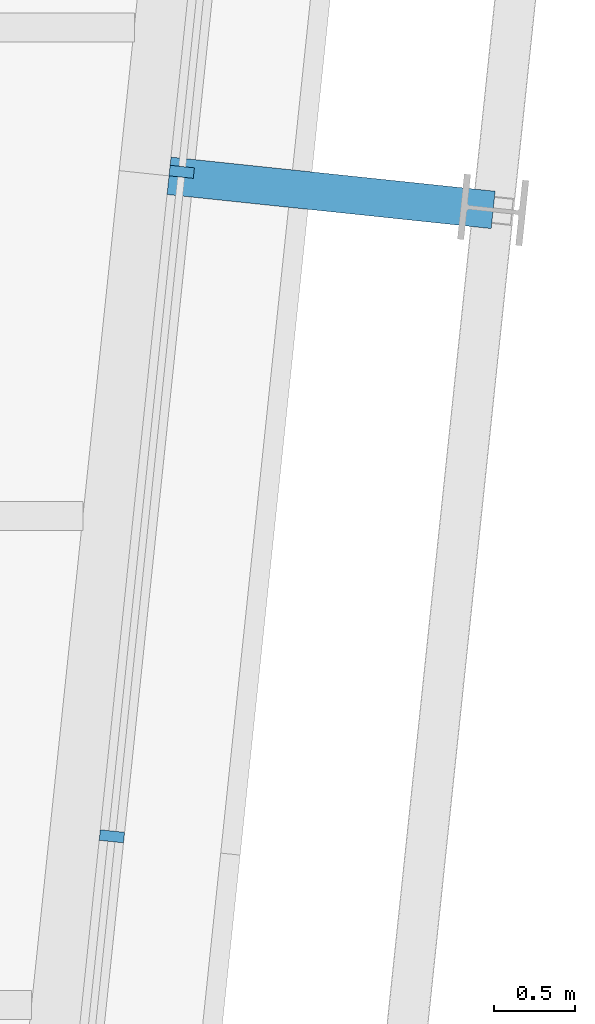
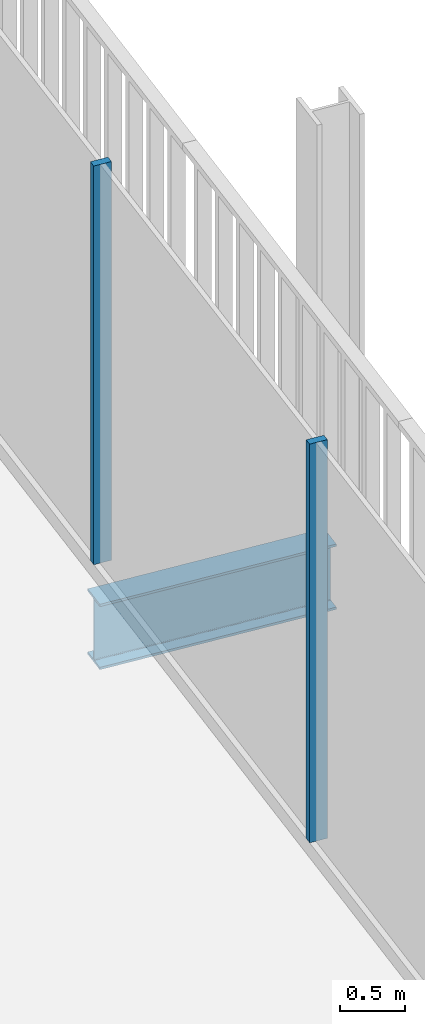
# One storey, part 11 of 21: 2 members, 1 beam, 1 element without a shape of its own.
"""IFC4 building model written with IfcOpenShell, lengths in metres."""

from ifc_helpers import new_model, si_unit, direction, frame, origin, origin_2d, place, context, subcontext, project, spatial, rectangle, i_section, extrude, material, layer, layer_set, material_profile, profile_set, type_object, element, aggregate, save


model = new_model("IFC4")

# Units and contexts
model_context = context("Model", 3, precision=1e-05, world=origin(), true_north=direction((0.0, 1.0)))
body_context = subcontext(model_context, "Body", "Model", "MODEL_VIEW")
ifc_project = project(units=[si_unit("LENGTHUNIT", "METRE"), si_unit("AREAUNIT", "SQUARE_METRE"), si_unit("VOLUMEUNIT", "CUBIC_METRE"), si_unit("PLANEANGLEUNIT", "RADIAN"), si_unit("MASSUNIT", "GRAM", prefix="KILO")], contexts=[model_context])

# Site, building, storey
site_placement = place(None, origin())
site = spatial("IfcSite", under=ifc_project, at=site_placement, CompositionType="ELEMENT")
building_placement = place(site_placement, origin())
building = spatial("IfcBuilding", under=site, at=building_placement, Name="Millrace Tower", CompositionType="ELEMENT")
storey_placement = place(building_placement, frame((0.0, 0.0, 307.199951171875)))
storey = spatial("IfcBuildingStorey", under=building, at=storey_placement, Name="L71", CompositionType="ELEMENT", Elevation=307.199951171875)

# Curtain wall, members
ifc_material_1 = material(Name="Aluminium and glass", Category="aluminium")
ifc_layer = layer(ifc_material_1, 0.14990234375)
ifc_layer_set = layer_set([ifc_layer], Name="Aluminium and glass")
curtain_wall_type = type_object("IfcCurtainWallType", Name="CW-1 office vision curtain wall", PredefinedType="NOTDEFINED", material=ifc_layer_set)
curtain_wall_placement = place(storey_placement, origin())
curtain_wall = element("IfcCurtainWall", 1, at=curtain_wall_placement, inside=storey, type_object=curtain_wall_type, Name="Curtain wall E-F04 L71", PredefinedType="NOTDEFINED")
ifc_material_2 = material(Name="Aluminium", Category="aluminium")
ifc_material_profile_1 = material_profile(ifc_material_2, rectangle(XDim=0.06494140625, YDim=0.14990234375, at=origin_2d()))
ifc_profile_set_1 = profile_set([ifc_material_profile_1], Name="Aluminium")
member_type = type_object("IfcMemberType", Name="CW-1 office vision curtain wall mullion", PredefinedType="MULLION", material=ifc_profile_set_1)
member_1_placement = place(storey_placement, frame((23.11767578125, 4.03515625, 0.14013671875), z_axis=(0.0, 0.0, 1.0), x_axis=(0.104528455196, 0.994521896217, 0.0)))
member_1 = element("IfcMember", 2, at=member_1_placement, type_object=member_type, Name="CW1 mullion E-F04.6", PredefinedType="MULLION", context=body_context, shape_type="SweptSolid", body=[
    extrude(rectangle(XDim=0.06494140625, YDim=0.14990234375, at=origin_2d()), origin(), (0.0, 0.0, 1.0), 3.760009765625),
])
member_2_placement = place(storey_placement, frame((23.546142578125, 8.11279296875, 0.14013671875), z_axis=(0.0, 0.0, 1.0), x_axis=(0.104528455196, 0.994521896217, 0.0)))
member_2 = element("IfcMember", 3, at=member_2_placement, type_object=member_type, Name="CW1 mullion E-F04.7", PredefinedType="MULLION", context=body_context, shape_type="SweptSolid", body=[
    extrude(rectangle(XDim=0.06494140625, YDim=0.14990234375, at=origin_2d()), origin(), (0.0, 0.0, 1.0), 3.760009765625),
])
aggregate(curtain_wall, [member_1, member_2])

# Beam
ifc_material_3 = material(Name="Steel ASTM A992 Grade 50", Category="steel")
ifc_material_profile_2 = material_profile(ifc_material_3, i_section(OverallWidth=0.23046875, OverallDepth=0.6171875, WebThickness=0.01318359375, FlangeThickness=0.022216796875, FilletRadius=0.012939453125, at=origin_2d()))
ifc_profile_set_2 = profile_set([ifc_material_profile_2], Name="Steel ASTM A992 Grade 50")
beam_type = type_object("IfcBeamType", Name="Link beam W24x94", PredefinedType="BEAM", material=ifc_profile_set_2)
beam_placement = place(storey_placement, frame((23.46826171875, 8.08837890625, -0.468505859375), z_axis=(0.994512808172, -0.104614886044, 0.0), x_axis=(0.104614886044, 0.994512808172, 0.0)))
element("IfcBeam", 4, at=beam_placement, inside=storey, type_object=beam_type, Name="LNK-E-L71-S1-10", PredefinedType="BEAM", context=body_context, shape_type="SweptSolid", body=[
    extrude(i_section(OverallWidth=0.23046875, OverallDepth=0.6171875, WebThickness=0.01318359375, FlangeThickness=0.022216796875, FilletRadius=0.012939453125, at=origin_2d()), origin(), (0.0, 0.0, 1.0), 2.0),
])

save(model, "model.ifc")
